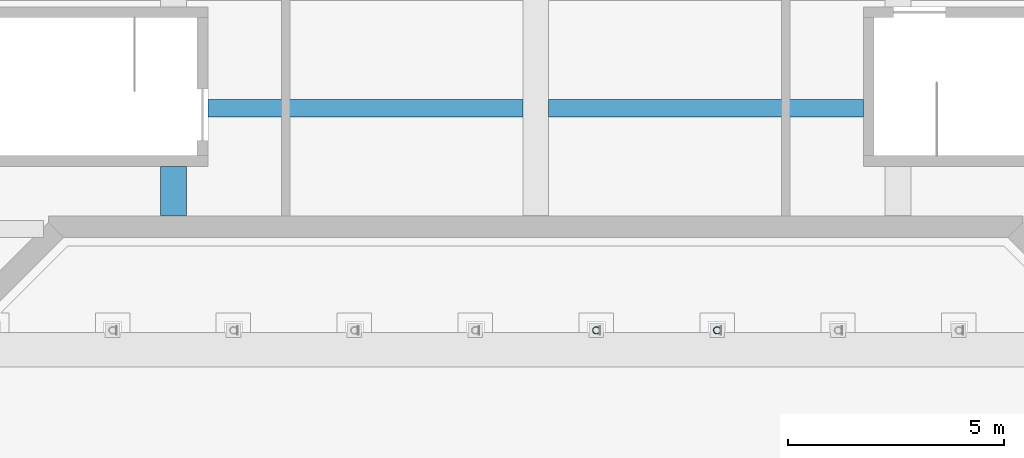
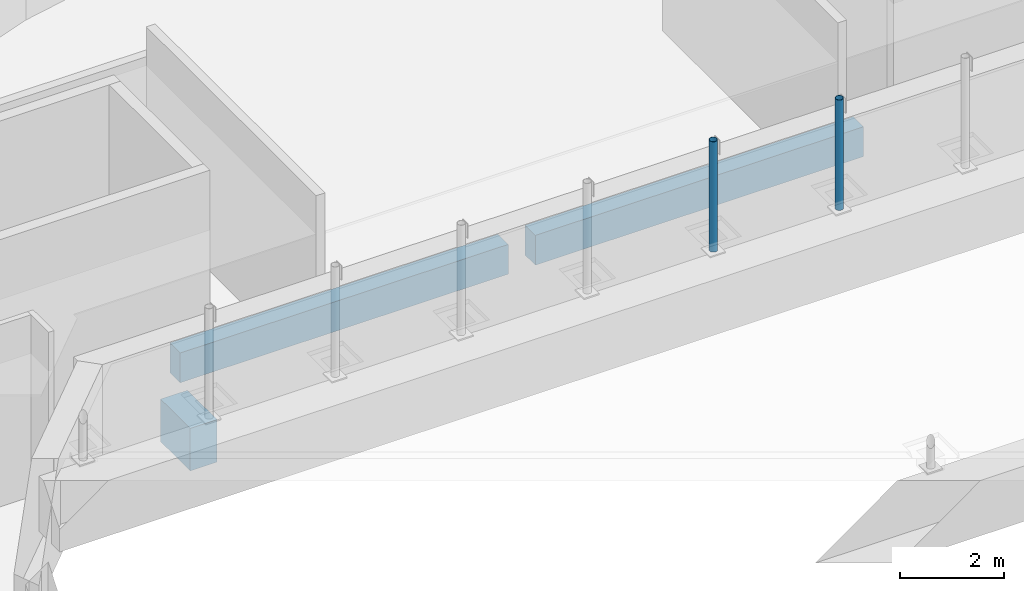
# One storey, part 20 of 47: 3 beams, 2 members.
"""IFC4 building model written with IfcOpenShell, lengths in metres."""

from ifc_helpers import new_model, si_unit, direction, frame, origin, origin_2d, place, context, subcontext, project, spatial, rectangle, hollow_circle, extrude, material, material_profile, profile_set, type_object, element, save


model = new_model("IFC4")

# Units and contexts
model_context = context("Model", 3, precision=1e-05, world=origin(), true_north=direction((0.0, 1.0)))
body_context = subcontext(model_context, "Body", "Model", "MODEL_VIEW")
ifc_project = project(units=[si_unit("LENGTHUNIT", "METRE"), si_unit("AREAUNIT", "SQUARE_METRE"), si_unit("VOLUMEUNIT", "CUBIC_METRE"), si_unit("PLANEANGLEUNIT", "RADIAN"), si_unit("MASSUNIT", "GRAM", prefix="KILO")], contexts=[model_context])

# Site, building, storey
site_placement = place(None, origin())
site = spatial("IfcSite", under=ifc_project, at=site_placement, CompositionType="ELEMENT")
building_placement = place(site_placement, origin())
building = spatial("IfcBuilding", under=site, at=building_placement, Name="Larchfold Concert Hall", CompositionType="ELEMENT")
storey_placement = place(building_placement, frame((0.0, 0.0, 24.0)))
storey = spatial("IfcBuildingStorey", under=building, at=storey_placement, Name="L05", CompositionType="ELEMENT", Elevation=24.0)

# Beams
ifc_material_1 = material(Name="Concrete C35/45", Category="concrete")
ifc_material_profile_1 = material_profile(ifc_material_1, rectangle(XDim=0.39990234375, YDim=0.699951171875, at=origin_2d()))
ifc_profile_set_1 = profile_set([ifc_material_profile_1], Name="Concrete C35/45")
beam_type_1 = type_object("IfcBeamType", Name="Beam RC 400x700", PredefinedType="BEAM", material=ifc_profile_set_1)
for number, where, z_axis, x_axis, name in (
    (1, (35.0, 107.0, -0.550048828125), (1.0, 0.0, 0.0), (0.0, 1.0, 0.0), "Beam B1590"),
    (2, (42.89990234375, 107.0, -0.550048828125), (1.0, 0.0, 0.0), (0.0, 1.0, 0.0), "Beam B1591"),
):
    element("IfcBeam", number, at=place(storey_placement, frame(where, z_axis=z_axis, x_axis=x_axis)), inside=storey, type_object=beam_type_1, Name=name, PredefinedType="BEAM", context=body_context, shape_type="SweptSolid", body=[
        extrude(rectangle(XDim=0.39990234375, YDim=0.699951171875, at=origin_2d()), origin(), (0.0, 0.0, 1.0), 7.300048828125),
    ])
ifc_material_2 = material(Name="Concrete C35/45", Category="concrete")
ifc_material_profile_2 = material_profile(ifc_material_2, rectangle(XDim=0.60009765625, YDim=1.0, at=origin_2d()))
ifc_profile_set_2 = profile_set([ifc_material_profile_2], Name="Concrete C35/45")
beam_type_2 = type_object("IfcBeamType", Name="Beam RC 600x1000", PredefinedType="BEAM", material=ifc_profile_set_2)
beam_placement = place(storey_placement, frame((34.199951171875, 104.510009765625, -0.699951171875), z_axis=(0.0, 1.0, 0.0), x_axis=(-1.0, 0.0, 0.0)))
element("IfcBeam", 3, at=beam_placement, inside=storey, type_object=beam_type_2, Name="Beam B1524", PredefinedType="BEAM", context=body_context, shape_type="SweptSolid", body=[
    extrude(rectangle(XDim=0.60009765625, YDim=1.0, at=origin_2d()), origin(), (0.0, 0.0, 1.0), 1.139892578125),
])

# Members
ifc_material_3 = material(Name="Steel S355J2H", Category="steel")
ifc_material_profile_3 = material_profile(ifc_material_3, hollow_circle(Radius=0.084228515625, WallThickness=0.008056640625, at=origin_2d()))
ifc_profile_set_3 = profile_set([ifc_material_profile_3], Name="Steel S355J2H")
member_type = type_object("IfcMemberType", Name="Truss post CHS 168.3x8", PredefinedType="POST", material=ifc_profile_set_3)
for number, where, z_axis, x_axis, name in (
    (4, (44.002197265625, 101.85009765625, 2.080078125), (0.0, 0.0, 1.0), (1.0, 0.0, 0.0), "Member TP046"),
    (5, (46.80615234375, 101.85009765625, 2.080078125), (0.0, 0.0, 1.0), (1.0, 0.0, 0.0), "Member TP047"),
):
    element("IfcMember", number, at=place(storey_placement, frame(where, z_axis=z_axis, x_axis=x_axis)), inside=storey, type_object=member_type, Name=name, PredefinedType="POST", context=body_context, shape_type="SweptSolid", body=[
        extrude(hollow_circle(Radius=0.084228515625, WallThickness=0.008056640625, at=origin_2d()), origin(), (0.0, 0.0, 1.0), 2.594970703125),
    ])

save(model, "model.ifc")
